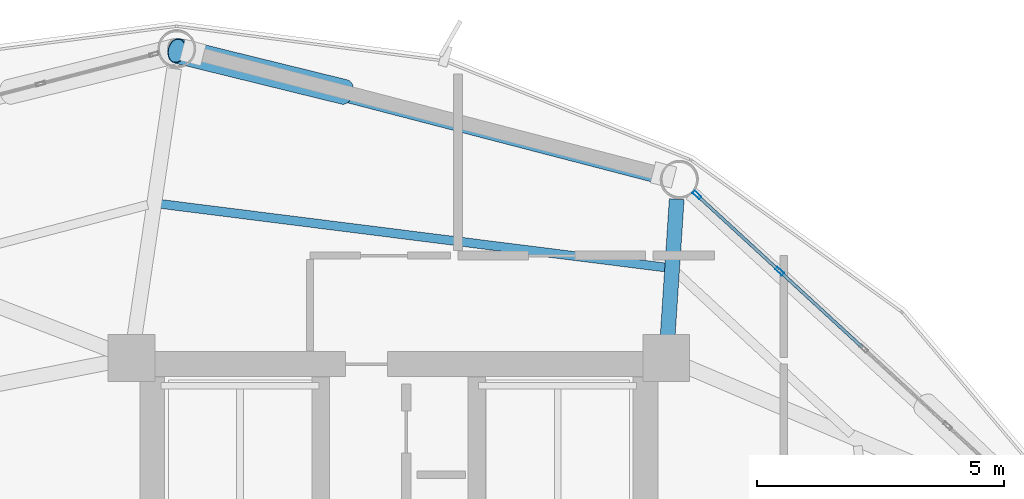
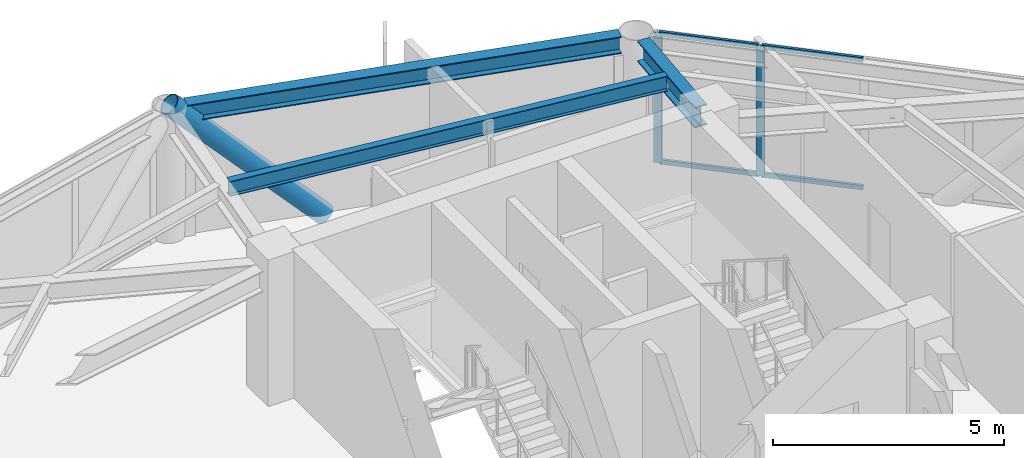
# One storey, part 19 of 26: 7 members, 3 beams, 1 element without a shape of its own.
"""IFC4 building model written with IfcOpenShell, lengths in metres."""

from ifc_helpers import new_model, si_unit, direction, frame, origin, origin_2d, place, context, subcontext, project, spatial, hollow_rectangle, hollow_circle, i_section, extrude, material, layer, layer_set, material_profile, profile_set, type_object, element, aggregate, save


model = new_model("IFC4")

# Units and contexts
model_context = context("Model", 3, precision=1e-05, world=origin(), true_north=direction((0.0, 1.0)))
body_context = subcontext(model_context, "Body", "Model", "MODEL_VIEW")
ifc_project = project(units=[si_unit("LENGTHUNIT", "METRE"), si_unit("AREAUNIT", "SQUARE_METRE"), si_unit("VOLUMEUNIT", "CUBIC_METRE"), si_unit("PLANEANGLEUNIT", "RADIAN"), si_unit("MASSUNIT", "GRAM", prefix="KILO")], contexts=[model_context])

# Site, building, storey
site_placement = place(None, origin())
site = spatial("IfcSite", under=ifc_project, at=site_placement, CompositionType="ELEMENT")
building_placement = place(site_placement, origin())
building = spatial("IfcBuilding", under=site, at=building_placement, Name="Varnakorn Sky Granary", CompositionType="ELEMENT")
storey_placement = place(building_placement, frame((0.0, 0.0, 165.60009765625)))
storey = spatial("IfcBuildingStorey", under=building, at=storey_placement, Name="L41", CompositionType="ELEMENT", Elevation=165.60009765625)

# Beams
ifc_material_1 = material(Name="Steel S355JR", Category="steel")
ifc_material_profile_1 = material_profile(ifc_material_1, i_section(OverallWidth=0.300048828125, OverallDepth=0.550048828125, WebThickness=0.014892578125, FlangeThickness=0.029052734375, at=origin_2d()), Name="HE 550 B")
ifc_profile_set_1 = profile_set([ifc_material_profile_1], Name="Steel S355JR")
beam_type_1 = type_object("IfcBeamType", Name="BM-RAD-Z3", PredefinedType="BEAM", material=ifc_profile_set_1)
beam_1_placement = place(storey_placement, frame((8.44775390625, 13.0390625, 3.1748046875), z_axis=(0.066040310585, 0.997816955848, 0.0), x_axis=(-0.997816955848, 0.066040310585, 0.0)))
element("IfcBeam", 1, at=beam_1_placement, inside=storey, type_object=beam_type_1, Name="Radial Floor Girder RG03 L41", PredefinedType="BEAM", context=body_context, shape_type="SweptSolid", body=[
    extrude(i_section(OverallWidth=0.300048828125, OverallDepth=0.550048828125, WebThickness=0.014892578125, FlangeThickness=0.029052734375, at=origin_2d()), origin(), (0.0, 0.0, 1.0), 2.8095703125),
])
ifc_material_profile_2 = material_profile(ifc_material_1, i_section(OverallWidth=0.179931640625, OverallDepth=0.39990234375, WebThickness=0.008544921875, FlangeThickness=0.013427734375, at=origin_2d()), Name="IPE 400")
ifc_profile_set_2 = profile_set([ifc_material_profile_2], Name="Steel S355JR")
beam_type_2 = type_object("IfcBeamType", Name="BM-SEC-Z3", PredefinedType="BEAM", material=ifc_profile_set_2)
beam_2_placement = place(storey_placement, frame((8.401611328125, 14.458251953125, 3.25), z_axis=(-0.99217542878, 0.124851585994, 0.0), x_axis=(-0.124851585994, -0.99217542878, 0.0)))
element("IfcBeam", 2, at=beam_2_placement, inside=storey, type_object=beam_type_2, Name="Secondary Floor Chord Beam MSB03 L41", PredefinedType="BEAM", context=body_context, shape_type="SweptSolid", body=[
    extrude(i_section(OverallWidth=0.179931640625, OverallDepth=0.39990234375, WebThickness=0.008544921875, FlangeThickness=0.013427734375, at=origin_2d()), origin(), (0.0, 0.0, 1.0), 10.29931640625),
])
ifc_material_profile_3 = material_profile(ifc_material_1, i_section(OverallWidth=0.300048828125, OverallDepth=0.449951171875, WebThickness=0.013916015625, FlangeThickness=0.02587890625, at=origin_2d()), Name="HE 450 B")
ifc_profile_set_3 = profile_set([ifc_material_profile_3], Name="Steel S355JR")
beam_type_3 = type_object("IfcBeamType", Name="BM-SPD-Z3", PredefinedType="SPANDREL", material=ifc_profile_set_3)
beam_3_placement = place(storey_placement, frame((8.30322265625, 16.2998046875, 3.224853515625), z_axis=(-0.967790710414, 0.251756113801, 0.0), x_axis=(-0.251756113801, -0.967790710414, 0.0)))
element("IfcBeam", 3, at=beam_3_placement, inside=storey, type_object=beam_type_3, Name="Perimeter Spandrel Ring Beam RB03 L41", PredefinedType="SPANDREL", context=body_context, shape_type="SweptSolid", body=[
    extrude(i_section(OverallWidth=0.300048828125, OverallDepth=0.449951171875, WebThickness=0.013916015625, FlangeThickness=0.02587890625, at=origin_2d()), origin(), (0.0, 0.0, 1.0), 9.763427734375),
])

# Curtain wall, members
ifc_material_2 = material(Name="Anodised Bronze Aluminium Alloy 6063-T6", Category="aluminium")
ifc_layer = layer(ifc_material_2, 0.179931640625, Name="Anodised Bronze Aluminium Alloy 6063-T6")
ifc_layer_set = layer_set([ifc_layer], Name="Anodised Bronze Aluminium Alloy 6063-T6")
curtain_wall_type = type_object("IfcCurtainWallType", Name="CW-FRM-2", PredefinedType="USERDEFINED", material=ifc_layer_set)
curtain_wall_placement = place(storey_placement, origin())
curtain_wall = element("IfcCurtainWall", 4, at=curtain_wall_placement, inside=storey, type_object=curtain_wall_type, Name="Unitised Curtain Wall CW4 CW-L41-B02", ObjectType="CURTAIN WALL", PredefinedType="USERDEFINED")
ifc_material_profile_4 = material_profile(ifc_material_2, hollow_rectangle(XDim=0.070068359375, YDim=0.18505859375, WallThickness=0.00390625, at=origin_2d()), Name="ALU MULL 70x185")
ifc_profile_set_4 = profile_set([ifc_material_profile_4], Name="Anodised Bronze Aluminium Alloy 6063-T6")
member_type_1 = type_object("IfcMemberType", Name="CW-FRM-2-MULL", PredefinedType="MULLION", material=ifc_profile_set_4)
member_1_placement = place(storey_placement, frame((9.041259765625, 15.9267578125, 0.0), z_axis=(0.0, 0.0, 1.0), x_axis=(0.677284882962, 0.735720862359, 0.0)))
member_1 = element("IfcMember", 5, at=member_1_placement, type_object=member_type_1, Name="CW4 mullion 1", PredefinedType="MULLION", context=body_context, shape_type="SweptSolid", body=[
    extrude(hollow_rectangle(XDim=0.070068359375, YDim=0.18505859375, WallThickness=0.00390625, at=origin_2d()), origin(), (0.0, 0.0, 1.0), 3.449951171875),
])
member_2_placement = place(storey_placement, frame((10.71826171875, 14.3828125, 0.0), z_axis=(0.0, 0.0, 1.0), x_axis=(0.677284882962, 0.735720862359, 0.0)))
member_2 = element("IfcMember", 6, at=member_2_placement, type_object=member_type_1, Name="CW4 mullion 2", PredefinedType="MULLION", context=body_context, shape_type="SweptSolid", body=[
    extrude(hollow_rectangle(XDim=0.070068359375, YDim=0.18505859375, WallThickness=0.00390625, at=origin_2d()), origin(), (0.0, 0.0, 1.0), 3.449951171875),
])
ifc_material_profile_5 = material_profile(ifc_material_2, hollow_rectangle(XDim=0.06494140625, YDim=0.1201171875, WallThickness=0.00341796875, at=origin_2d()), Name="ALU TRAN 65x120")
ifc_profile_set_5 = profile_set([ifc_material_profile_5], Name="Anodised Bronze Aluminium Alloy 6063-T6")
member_type_2 = type_object("IfcMemberType", Name="CW-FRM-2-TRAN", PredefinedType="USERDEFINED", material=ifc_profile_set_5)
member_3_placement = place(storey_placement, frame((9.06689453125, 15.903076171875, 0.032470703125), z_axis=(0.735781242448, -0.677219287425, 0.0), x_axis=(0.677219287425, 0.735781242448, 0.0)))
member_3 = element("IfcMember", 7, at=member_3_placement, type_object=member_type_2, Name="CW4 transom 1.1", ObjectType="TRANSOM", PredefinedType="USERDEFINED", context=body_context, shape_type="SweptSolid", body=[
    extrude(hollow_rectangle(XDim=0.06494140625, YDim=0.1201171875, WallThickness=0.00341796875, at=origin_2d()), origin(), (0.0, 0.0, 1.0), 2.20947265625),
])
member_4_placement = place(storey_placement, frame((9.06689453125, 15.903076171875, 3.41748046875), z_axis=(0.735781242448, -0.677219287425, 0.0), x_axis=(0.677219287425, 0.735781242448, 0.0)))
member_4 = element("IfcMember", 8, at=member_4_placement, type_object=member_type_2, Name="CW4 transom 1.2", ObjectType="TRANSOM", PredefinedType="USERDEFINED", context=body_context, shape_type="SweptSolid", body=[
    extrude(hollow_rectangle(XDim=0.06494140625, YDim=0.1201171875, WallThickness=0.00341796875, at=origin_2d()), origin(), (0.0, 0.0, 1.0), 2.20947265625),
])
member_5_placement = place(storey_placement, frame((10.744140625, 14.359130859375, 0.032470703125), z_axis=(0.735761886195, -0.677240316891, 0.0), x_axis=(0.677240316891, 0.735761886195, 0.0)))
member_5 = element("IfcMember", 9, at=member_5_placement, type_object=member_type_2, Name="CW4 transom 2.1", ObjectType="TRANSOM", PredefinedType="USERDEFINED", context=body_context, shape_type="SweptSolid", body=[
    extrude(hollow_rectangle(XDim=0.06494140625, YDim=0.1201171875, WallThickness=0.00341796875, at=origin_2d()), origin(), (0.0, 0.0, 1.0), 2.244384765625),
])
member_6_placement = place(storey_placement, frame((10.744140625, 14.359130859375, 3.41748046875), z_axis=(0.735761886195, -0.677240316891, 0.0), x_axis=(0.677240316891, 0.735761886195, 0.0)))
member_6 = element("IfcMember", 10, at=member_6_placement, type_object=member_type_2, Name="CW4 transom 2.2", ObjectType="TRANSOM", PredefinedType="USERDEFINED", context=body_context, shape_type="SweptSolid", body=[
    extrude(hollow_rectangle(XDim=0.06494140625, YDim=0.1201171875, WallThickness=0.00341796875, at=origin_2d()), origin(), (0.0, 0.0, 1.0), 2.244384765625),
])
aggregate(curtain_wall, [member_1, member_2, member_3, member_4, member_5, member_6])

# Member
ifc_material_3 = material(Name="Steel S460M", Category="steel")
ifc_material_profile_6 = material_profile(ifc_material_3, hollow_circle(Radius=0.25390625, WallThickness=0.01806640625, at=origin_2d()), Name="CHS 508x18")
ifc_profile_set_6 = profile_set([ifc_material_profile_6], Name="Steel S460M")
member_type_3 = type_object("IfcMemberType", Name="MB-DIAG-T2", PredefinedType="BRACE", material=ifc_profile_set_6)
member_7_placement = place(storey_placement, frame((1.89697265625, 18.01513671875, -0.130126953125), z_axis=(-0.678668169832, 0.166813651058, 0.715250110854), x_axis=(-0.238691018718, -0.971095565628, 0.0)))
element("IfcMember", 11, at=member_7_placement, inside=storey, type_object=member_type_3, Name="Perimeter CHS Diagrid Brace DG03 L41", PredefinedType="BRACE", context=body_context, shape_type="SweptSolid", body=[
    extrude(hollow_circle(Radius=0.25390625, WallThickness=0.01806640625, at=origin_2d()), origin(), (0.0, 0.0, 1.0), 5.00537109375),
])

save(model, "model.ifc")
